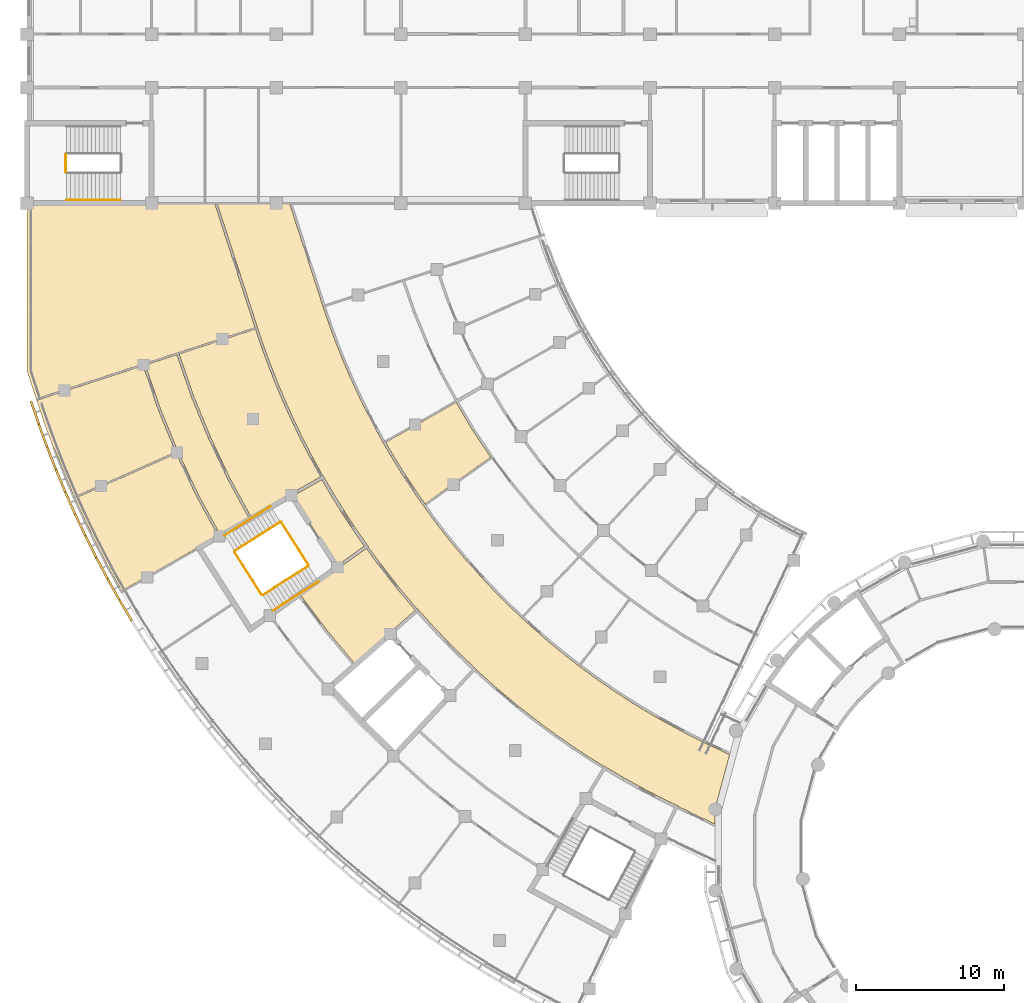
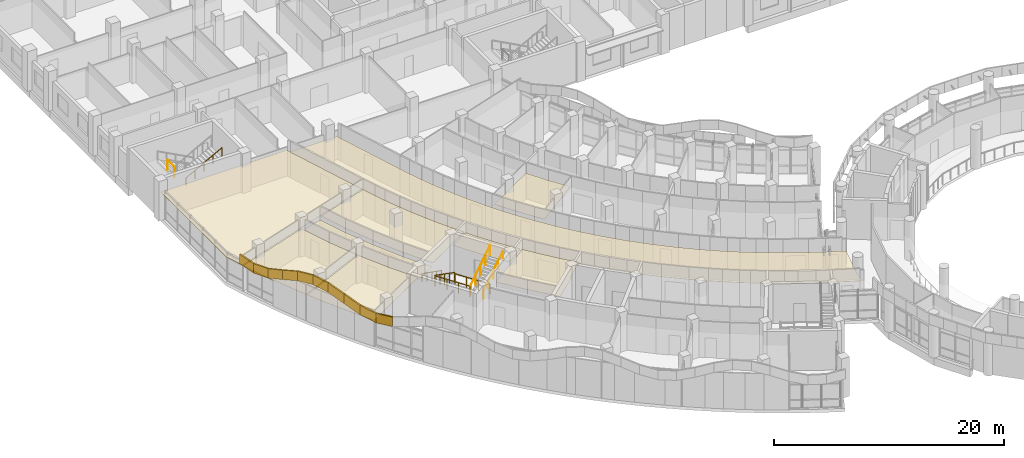
# One storey, part 98 of 109: 19 coverings, 8 railings.
"""IFC4 building model written with IfcOpenShell, lengths in metres."""

from ifc_helpers import new_model, si_unit, direction, frame, origin, origin_2d, place, context, subcontext, project, spatial, polyline, circle, outline, extrude, material, layer, layer_set, type_object, element, save


model = new_model("IFC4")

# Units and contexts
model_context = context("Model", 3, precision=1e-05, world=origin(), true_north=direction((0.0, 1.0)))
body_context = subcontext(model_context, "Body", "Model", "MODEL_VIEW")
ifc_project = project(units=[si_unit("LENGTHUNIT", "METRE"), si_unit("AREAUNIT", "SQUARE_METRE"), si_unit("VOLUMEUNIT", "CUBIC_METRE"), si_unit("PLANEANGLEUNIT", "RADIAN"), si_unit("MASSUNIT", "GRAM", prefix="KILO")], contexts=[model_context])

# Site, building, storey
site_placement = place(None, origin())
site = spatial("IfcSite", under=ifc_project, at=site_placement, CompositionType="ELEMENT")
building_placement = place(site_placement, origin())
building = spatial("IfcBuilding", under=site, at=building_placement, Name="Bougainvillea Quay General Hospital", CompositionType="ELEMENT")
storey_placement = place(building_placement, frame((0.0, 0.0, 12.60009765625)))
storey = spatial("IfcBuildingStorey", under=building, at=storey_placement, Name="L02", CompositionType="ELEMENT", Elevation=12.60009765625)

# Coverings
ifc_material_1 = material(Name="Powder-coated aluminium fascia, blue", Category="aluminium")
ifc_layer_1 = layer(ifc_material_1, 0.14990234375)
ifc_layer_set_1 = layer_set([ifc_layer_1], Name="Powder-coated aluminium fascia, blue")
covering_type_1 = type_object("IfcCoveringType", Name="Aluminium wave fascia ribbon blue 150x1000", PredefinedType="CLADDING", material=ifc_layer_set_1)
covering_1_placement = place(storey_placement, frame((42.341796875, 104.27294921875, 3.149658203125), z_axis=(0.04838377068, -0.143384524214, 0.988483631099), x_axis=(0.316322380761, -0.936504160336, -0.151327819986)))
element("IfcCovering", 1, at=covering_1_placement, inside=storey, type_object=covering_type_1, Name="Fascia ribbon blue a01 1", PredefinedType="CLADDING", context=body_context, shape_type="SweptSolid", body=[
    extrude(outline(polyline([(0.0, 0.0), (1.64549998833338, -3.5805776746333784e-17), (1.6471588485693727, -0.15001519226236398), (-0.00013301029717756319, -0.14993091026207037), (0.0, 0.0)])), origin(), (-0.151327819986, 4.4131529e-05, 0.988483631099), 1.0),
])
covering_2_placement = place(storey_placement, frame((42.8623046875, 102.73193359375, 2.900634765625), z_axis=(-0.043212519725, 0.118834429243, 0.991973314442), x_axis=(0.339202794366, -0.932176228835, 0.126447390997)))
element("IfcCovering", 2, at=covering_2_placement, inside=storey, type_object=covering_type_1, Name="Fascia ribbon blue a01 2", PredefinedType="CLADDING", context=body_context, shape_type="SweptSolid", body=[
    extrude(outline(polyline([(0.0, 0.0), (1.643183683834102, -1.3847633434892204e-16), (1.644982287908264, -0.15003444025597384), (-0.0018633529467140795, -0.15001279168002143), (0.0, 0.0)])), origin(), (0.126447390997, -2.7286791e-05, 0.991973314442), 1.0),
])
covering_3_placement = place(storey_placement, frame((43.419677734375, 101.2001953125, 3.10888671875), z_axis=(-0.114907429563, 0.296458869488, 0.948107811028), x_axis=(0.344761739617, -0.883203421715, 0.31794820139)))
element("IfcCovering", 3, at=covering_3_placement, inside=storey, type_object=covering_type_1, Name="Fascia ribbon blue a01 3", PredefinedType="CLADDING", context=body_context, shape_type="SweptSolid", body=[
    extrude(outline(polyline([(0.0, 0.0), (1.7193585961351872, 1.4062102177136993e-16), (1.7212083129361546, -0.15005248526706494), (-0.0017623911549234732, -0.15003546161427647), (0.0, 0.0)])), origin(), (0.31794820139, -0.000721040599, 0.948107811028), 1.0),
])
covering_4_placement = place(storey_placement, frame((44.012451171875, 99.681640625, 3.65625), z_axis=(-0.127351081877, 0.305588748266, 0.943608615305), x_axis=(0.363347828833, -0.870847628167, 0.331063081297)))
element("IfcCovering", 4, at=covering_4_placement, inside=storey, type_object=covering_type_1, Name="Fascia ribbon blue a01 4", PredefinedType="CLADDING", context=body_context, shape_type="SweptSolid", body=[
    extrude(outline(polyline([(0.0, 0.0), (1.7274609592513808, -5.2827750854356204e-17), (1.7292474923563912, -0.1501473131303176), (-0.0019058831054685117, -0.15005173224176283), (0.0, 0.0)])), origin(), (0.331063081297, -0.000131620601, 0.943608615305), 1.0),
])
covering_5_placement = place(storey_placement, frame((44.64013671875, 98.17724609375, 4.228515625), z_axis=(-0.065406630562, 0.149174932569, 0.98664523116), x_axis=(0.400892984301, -0.901528883754, 0.1628818188)))
element("IfcCovering", 5, at=covering_5_placement, inside=storey, type_object=covering_type_1, Name="Fascia ribbon blue a01 5", PredefinedType="CLADDING", context=body_context, shape_type="SweptSolid", body=[
    extrude(outline(polyline([(0.0, 0.0), (1.6521841187766257, 1.1519648082658485e-17), (1.6539953669793468, -0.14987309196205556), (-0.0018544675773836479, -0.1501449407482986), (0.0, 0.0)])), origin(), (0.1628818188, -0.00083721726, 0.98664523116), 1.0),
])
covering_6_placement = place(storey_placement, frame((45.302490234375, 96.687744140625, 4.497802734375), z_axis=(0.048295154395, -0.104001952781, 0.993403831219), x_axis=(0.424635824034, -0.898073612507, -0.114665615881)))
element("IfcCovering", 6, at=covering_6_placement, inside=storey, type_object=covering_type_1, Name="Fascia ribbon blue a01 6", PredefinedType="CLADDING", context=body_context, shape_type="SweptSolid", body=[
    extrude(outline(polyline([(0.0, 0.0), (1.640891151545481, -5.380353280959316e-17), (1.642672765928729, -0.1499056522364244), (-0.0017187365744371075, -0.14987338087797103), (0.0, 0.0)])), origin(), (-0.114665615881, 0.000790351146, 0.993403831219), 1.0),
])
covering_7_placement = place(storey_placement, frame((45.999267578125, 95.214111328125, 4.309326171875), z_axis=(0.140454665342, -0.279889696091, 0.949702187534), x_axis=(0.425857245839, -0.848869749946, -0.313154520633)))
element("IfcCovering", 7, at=covering_7_placement, inside=storey, type_object=covering_type_1, Name="Fascia ribbon blue a01 7", PredefinedType="CLADDING", context=body_context, shape_type="SweptSolid", body=[
    extrude(outline(polyline([(0.0, 0.0), (1.716464237342309, 3.107594476886577e-17), (1.7182927339970995, -0.15001995244228752), (-0.0017952993185654017, -0.14990608313345288), (0.0, 0.0)])), origin(), (-0.313154520633, -3.4661532e-05, 0.949702187534), 1.0),
])
covering_8_placement = place(storey_placement, frame((46.730224609375, 93.757080078125, 3.771240234375), z_axis=(0.156333463493, -0.295605267796, 0.942431628206), x_axis=(0.441840548188, -0.832438902816, -0.334398569158)))
element("IfcCovering", 8, at=covering_8_placement, inside=storey, type_object=covering_type_1, Name="Fascia ribbon blue a01 8", PredefinedType="CLADDING", context=body_context, shape_type="SweptSolid", body=[
    extrude(outline(polyline([(0.0, 0.0), (1.729502767595576, 5.46979996018937e-17), (1.731558582186584, -0.1499993484314838), (-0.0017495033825558717, -0.15002091505787368), (0.0, 0.0)])), origin(), (-0.334398569158, 0.000472336747, 0.942431628206), 1.0),
])
covering_9_placement = place(storey_placement, frame((47.494384765625, 92.3173828125, 3.1923828125), z_axis=(0.085188430339, -0.151556160952, 0.984770867468), x_axis=(0.481849366327, -0.858833434331, -0.17385718347)))
element("IfcCovering", 9, at=covering_9_placement, inside=storey, type_object=covering_type_1, Name="Fascia ribbon blue a01 9", PredefinedType="CLADDING", context=body_context, shape_type="SweptSolid", body=[
    extrude(outline(polyline([(0.0, 0.0), (1.6553141082069058, -4.480465477796347e-17), (1.6571431752569536, -0.14994643813684855), (-0.0015954107681190423, -0.1500033550581651), (0.0, 0.0)])), origin(), (-0.17385718347, -0.000135432076, 0.984770867468), 1.0),
])
covering_10_placement = place(storey_placement, frame((48.2919921875, 90.895751953125, 2.904541015625), z_axis=(-0.052985730535, 0.087877310005, 0.994721112044), x_axis=(0.506666220484, -0.856014091065, 0.102611972585)))
element("IfcCovering", 10, at=covering_10_placement, inside=storey, type_object=covering_type_1, Name="Fascia ribbon blue a01 10", PredefinedType="CLADDING", context=body_context, shape_type="SweptSolid", body=[
    extrude(outline(polyline([(0.0, 0.0), (1.638800886777208, -2.0383000842727483e-17), (1.6405266507654117, -0.1499699218095876), (-0.001673026199481618, -0.1499482609837066), (0.0, 0.0)])), origin(), (0.102611972585, 0.000832067437, 0.994721112044), 1.0),
])

# Railings
ifc_material_2 = material(Name="Stainless steel 304 balustrade", Category="steel")
railing_type_1 = type_object("IfcRailingType", Name="Stair guard 1100", PredefinedType="GUARDRAIL", material=ifc_material_2)
railing_1_placement = place(storey_placement, frame((44.610107421875, 120.89990234375, 2.099853515625)))
element("IfcRailing", 11, at=railing_1_placement, inside=storey, type_object=railing_type_1, Name="L02 ST-B1 stair guard 2", PredefinedType="GUARDRAIL", context=body_context, shape_type="SweptSolid", body=[
    extrude(circle(Radius=0.02392578125, at=origin_2d()), frame((0.0, 0.0, 1.076171875), z_axis=(0.0, -1.0, 0.0), x_axis=(1.0, 0.0, 0.0)), (0.0, 0.0, 1.0), 1.199951171875),
    extrude(circle(Radius=0.02099609375, at=origin_2d()), origin(), (0.0, 0.0, 1.0), 1.052001953125),
    extrude(circle(Radius=0.02099609375, at=origin_2d()), frame((0.0, -1.199951171875, 0.0)), (0.0, 0.0, 1.0), 1.052001953125),
])
railing_2_placement = place(storey_placement, frame((59.07275390625, 96.11279296875, 0.14990234375)))
element("IfcRailing", 12, at=railing_2_placement, inside=storey, type_object=railing_type_1, Name="L02 ST-W2 stair guard 1", PredefinedType="GUARDRAIL", context=body_context, shape_type="SweptSolid", body=[
    extrude(circle(Radius=0.02392578125, at=origin_2d()), frame((0.0, 0.0, 1.076171875), z_axis=(-0.743100611807, -0.474156011353, 0.472204995346), x_axis=(0.537903635664, -0.843006333748, 0.0)), (0.0, 0.0, 1.0), 4.12939453125),
    extrude(circle(Radius=0.02099609375, at=origin_2d()), origin(), (0.0, 0.0, 1.0), 1.052001953125),
    extrude(circle(Radius=0.02099609375, at=origin_2d()), frame((-0.76708984375, -0.489501953125, 0.487548828125)), (0.0, 0.0, 1.0), 1.052001953125),
    extrude(circle(Radius=0.02099609375, at=origin_2d()), frame((-1.5341796875, -0.97900390625, 0.97509765625)), (0.0, 0.0, 1.0), 1.052001953125),
    extrude(circle(Radius=0.02099609375, at=origin_2d()), frame((-2.301513671875, -1.468505859375, 1.46240234375)), (0.0, 0.0, 1.0), 1.052001953125),
    extrude(circle(Radius=0.02099609375, at=origin_2d()), frame((-3.068603515625, -1.9580078125, 1.949951171875)), (0.0, 0.0, 1.0), 1.052001953125),
])
railing_3_placement = place(storey_placement, frame((55.989013671875, 94.085693359375, 2.099853515625)))
element("IfcRailing", 13, at=railing_3_placement, inside=storey, type_object=railing_type_1, Name="L02 ST-W2 stair guard 2", PredefinedType="GUARDRAIL", context=body_context, shape_type="SweptSolid", body=[
    extrude(circle(Radius=0.02392578125, at=origin_2d()), frame((0.0, 0.0, 1.076171875), z_axis=(0.537909247209, -0.84300275312, 0.0), x_axis=(0.84300275312, 0.537909247209, 0.0)), (0.0, 0.0, 1.0), 3.421630859375),
    extrude(circle(Radius=0.02099609375, at=origin_2d()), origin(), (0.0, 0.0, 1.0), 1.052001953125),
    extrude(circle(Radius=0.02099609375, at=origin_2d()), frame((0.613525390625, -0.96142578125, 0.0)), (0.0, 0.0, 1.0), 1.052001953125),
    extrude(circle(Radius=0.02099609375, at=origin_2d()), frame((1.22705078125, -1.923095703125, 0.0)), (0.0, 0.0, 1.0), 1.052001953125),
    extrude(circle(Radius=0.02099609375, at=origin_2d()), frame((1.840576171875, -2.884521484375, 0.0)), (0.0, 0.0, 1.0), 1.052001953125),
])
railing_4_placement = place(storey_placement, frame((57.898681640625, 91.185791015625, 2.25)))
element("IfcRailing", 14, at=railing_4_placement, inside=storey, type_object=railing_type_1, Name="L02 ST-W2 stair guard 3", PredefinedType="GUARDRAIL", context=body_context, shape_type="SweptSolid", body=[
    extrude(circle(Radius=0.02392578125, at=origin_2d()), frame((0.0, 0.0, 1.076171875), z_axis=(0.743100611807, 0.474156011353, 0.472204995346), x_axis=(-0.537903635664, 0.843006333748, 0.0)), (0.0, 0.0, 1.0), 4.12939453125),
    extrude(circle(Radius=0.02099609375, at=origin_2d()), origin(), (0.0, 0.0, 1.0), 1.052001953125),
    extrude(circle(Radius=0.02099609375, at=origin_2d()), frame((0.76708984375, 0.489501953125, 0.487548828125)), (0.0, 0.0, 1.0), 1.052001953125),
    extrude(circle(Radius=0.02099609375, at=origin_2d()), frame((1.5341796875, 0.97900390625, 0.97509765625)), (0.0, 0.0, 1.0), 1.052001953125),
    extrude(circle(Radius=0.02099609375, at=origin_2d()), frame((2.301513671875, 1.468505859375, 1.46240234375)), (0.0, 0.0, 1.0), 1.052001953125),
    extrude(circle(Radius=0.02099609375, at=origin_2d()), frame((3.068603515625, 1.9580078125, 1.949951171875)), (0.0, 0.0, 1.0), 1.052001953125),
])
railing_5_placement = place(storey_placement, frame((59.141845703125, 96.09765625, 0.0)))
element("IfcRailing", 15, at=railing_5_placement, inside=storey, type_object=railing_type_1, Name="L02 ST-W2 stair guard 4", PredefinedType="GUARDRAIL", context=body_context, shape_type="SweptSolid", body=[
    extrude(circle(Radius=0.02392578125, at=origin_2d()), frame((0.0, 0.0, 1.076171875), z_axis=(0.537876894364, -0.843023396181, 0.0), x_axis=(0.843023396181, 0.537876894364, 0.0)), (0.0, 0.0, 1.0), 3.421875),
    extrude(circle(Radius=0.02099609375, at=origin_2d()), origin(), (0.0, 0.0, 1.0), 1.052001953125),
    extrude(circle(Radius=0.02099609375, at=origin_2d()), frame((0.613525390625, -0.961669921875, 0.0)), (0.0, 0.0, 1.0), 1.052001953125),
    extrude(circle(Radius=0.02099609375, at=origin_2d()), frame((1.22705078125, -1.923095703125, 0.0)), (0.0, 0.0, 1.0), 1.052001953125),
    extrude(circle(Radius=0.02099609375, at=origin_2d()), frame((1.840576171875, -2.884765625, 0.0)), (0.0, 0.0, 1.0), 1.052001953125),
])
ifc_material_3 = material(Name="Stainless steel 304 handrail", Category="steel")
railing_type_2 = type_object("IfcRailingType", Name="Stair handrail 900", PredefinedType="HANDRAIL", material=ifc_material_3)
railing_6_placement = place(storey_placement, frame((44.659912109375, 117.824951171875, 2.25)))
element("IfcRailing", 16, at=railing_6_placement, inside=storey, type_object=railing_type_2, Name="L02 ST-B1 stair handrail 2", PredefinedType="HANDRAIL", context=body_context, shape_type="SweptSolid", body=[
    extrude(circle(Radius=0.02392578125, at=origin_2d()), frame((0.0, 0.0, 0.8759765625), z_axis=(0.881492274372, 0.0, 0.472198443689), x_axis=(0.0, 1.0, 0.0)), (0.0, 0.0, 1.0), 4.12939453125),
    extrude(circle(Radius=0.02099609375, at=origin_2d()), origin(), (0.0, 0.0, 1.0), 0.851806640625),
    extrude(circle(Radius=0.02099609375, at=origin_2d()), frame((0.91015625, 0.0, 0.487548828125)), (0.0, 0.0, 1.0), 0.851806640625),
    extrude(circle(Radius=0.02099609375, at=origin_2d()), frame((1.820068359375, 0.0, 0.97509765625)), (0.0, 0.0, 1.0), 0.851806640625),
    extrude(circle(Radius=0.02099609375, at=origin_2d()), frame((2.72998046875, 0.0, 1.46240234375)), (0.0, 0.0, 1.0), 0.851806640625),
    extrude(circle(Radius=0.02099609375, at=origin_2d()), frame((3.64013671875, 0.0, 1.949951171875)), (0.0, 0.0, 1.0), 0.851806640625),
])
railing_7_placement = place(storey_placement, frame((58.400390625, 97.16650390625, 0.14990234375)))
element("IfcRailing", 17, at=railing_7_placement, inside=storey, type_object=railing_type_2, Name="L02 ST-W2 stair handrail 1", PredefinedType="HANDRAIL", context=body_context, shape_type="SweptSolid", body=[
    extrude(circle(Radius=0.02392578125, at=origin_2d()), frame((0.0, 0.0, 0.8759765625), z_axis=(-0.743100611807, -0.474156011353, 0.472204995346), x_axis=(0.537903635664, -0.843006333748, 0.0)), (0.0, 0.0, 1.0), 4.12939453125),
    extrude(circle(Radius=0.02099609375, at=origin_2d()), origin(), (0.0, 0.0, 1.0), 0.851806640625),
    extrude(circle(Radius=0.02099609375, at=origin_2d()), frame((-0.76708984375, -0.489501953125, 0.487548828125)), (0.0, 0.0, 1.0), 0.851806640625),
    extrude(circle(Radius=0.02099609375, at=origin_2d()), frame((-1.5341796875, -0.97900390625, 0.97509765625)), (0.0, 0.0, 1.0), 0.851806640625),
    extrude(circle(Radius=0.02099609375, at=origin_2d()), frame((-2.301513671875, -1.468505859375, 1.46240234375)), (0.0, 0.0, 1.0), 0.851806640625),
    extrude(circle(Radius=0.02099609375, at=origin_2d()), frame((-3.068603515625, -1.9580078125, 1.949951171875)), (0.0, 0.0, 1.0), 0.851806640625),
])
railing_8_placement = place(storey_placement, frame((58.571044921875, 90.132080078125, 2.25)))
element("IfcRailing", 18, at=railing_8_placement, inside=storey, type_object=railing_type_2, Name="L02 ST-W2 stair handrail 2", PredefinedType="HANDRAIL", context=body_context, shape_type="SweptSolid", body=[
    extrude(circle(Radius=0.02392578125, at=origin_2d()), frame((0.0, 0.0, 0.8759765625), z_axis=(0.743100611807, 0.474156011353, 0.472204995346), x_axis=(-0.537903635664, 0.843006333748, 0.0)), (0.0, 0.0, 1.0), 4.12939453125),
    extrude(circle(Radius=0.02099609375, at=origin_2d()), origin(), (0.0, 0.0, 1.0), 0.851806640625),
    extrude(circle(Radius=0.02099609375, at=origin_2d()), frame((0.76708984375, 0.489501953125, 0.487548828125)), (0.0, 0.0, 1.0), 0.851806640625),
    extrude(circle(Radius=0.02099609375, at=origin_2d()), frame((1.5341796875, 0.97900390625, 0.97509765625)), (0.0, 0.0, 1.0), 0.851806640625),
    extrude(circle(Radius=0.02099609375, at=origin_2d()), frame((2.301513671875, 1.468505859375, 1.46240234375)), (0.0, 0.0, 1.0), 0.851806640625),
    extrude(circle(Radius=0.02099609375, at=origin_2d()), frame((3.068603515625, 1.9580078125, 1.949951171875)), (0.0, 0.0, 1.0), 0.851806640625),
])

# Coverings
ifc_material_4 = material(Name="Mineral fibre ceiling tile")
ifc_layer_2 = layer(ifc_material_4, 0.030029296875)
ifc_layer_set_2 = layer_set([ifc_layer_2], Name="Mineral fibre ceiling tile")
covering_type_2 = type_object("IfcCoveringType", Name="Suspended ceiling mineral fibre tile", PredefinedType="CEILING", material=ifc_layer_set_2)
covering_11_placement = place(storey_placement, frame((0.0, 0.0, 2.39990234375)))
element("IfcCovering", 19, at=covering_11_placement, inside=storey, type_object=covering_type_2, Name="Ceiling Outpatient Spine Corridor", PredefinedType="CEILING", context=body_context, shape_type="SweptSolid", body=[
    extrude(outline(polyline([(54.808837890625, 117.60009765625), (57.5341796875, 109.212646484375), (57.977783203125, 107.904052734375), (58.422119140625, 106.692626953125), (58.96044921875, 105.33056640625), (59.500732421875, 104.063232421875), (60.07275390625, 102.809814453125), (60.563232421875, 101.798583984375), (61.17333984375, 100.610107421875), (61.9296875, 99.231689453125), (61.94873046875, 99.242919921875), (61.950439453125, 99.242431640625), (61.99951171875, 99.156005859375), (62.695556640625, 97.967529296875), (63.42138671875, 96.7978515625), (64.176025390625, 95.64599609375), (64.9609375, 94.513427734375), (65.0185546875, 94.432373046875), (65.01806640625, 94.4306640625), (64.999755859375, 94.41796875), (65.7529296875, 93.38720703125), (67.063232421875, 91.71142578125), (68.292236328125, 90.256591796875), (68.308349609375, 90.271240234375), (68.310302734375, 90.271240234375), (68.375732421875, 90.196533203125), (69.297607421875, 89.1728515625), (70.24365234375, 88.172607421875), (71.216064453125, 87.196533203125), (72.212646484375, 86.245849609375), (72.285400390625, 86.177978515625), (72.285400390625, 86.17626953125), (72.270263671875, 86.160400390625), (73.55908203125, 85.000732421875), (75.324951171875, 83.530517578125), (76.678955078125, 82.485107421875), (77.75830078125, 81.6982421875), (78.85791015625, 80.938232421875), (79.799560546875, 80.318115234375), (80.88134765625, 79.640625), (80.892822265625, 79.659912109375), (80.89453125, 79.660400390625), (80.9794921875, 79.60888671875), (82.165771484375, 78.90771484375), (83.36865234375, 78.238037109375), (84.58837890625, 77.59814453125), (85.82373046875, 76.989013671875), (85.913330078125, 76.9462890625), (85.913818359375, 76.944580078125), (85.9033203125, 76.92333984375), (88.3798828125, 75.7421875), (88.3798828125, 76.740966796875), (89.386962890625, 80.4970703125), (89.354736328125, 80.42919921875), (87.880126953125, 81.132568359375), (87.87939453125, 81.13134765625), (87.74609375, 81.196533203125), (87.74658203125, 81.19775390625), (86.400390625, 81.87158203125), (86.399169921875, 81.869384765625), (86.334228515625, 81.904541015625), (86.268310546875, 81.9375), (86.26953125, 81.939697265625), (84.582763671875, 82.8564453125), (84.58154296875, 82.854248046875), (84.51806640625, 82.8916015625), (84.453369140625, 82.927001953125), (84.45458984375, 82.92919921875), (83.511962890625, 83.484375), (83.510986328125, 83.482666015625), (83.38427734375, 83.559326171875), (83.38525390625, 83.56103515625), (82.458251953125, 84.1396484375), (82.457275390625, 84.13818359375), (82.332763671875, 84.218017578125), (82.333740234375, 84.2197265625), (81.4208984375, 84.821044921875), (81.419677734375, 84.819580078125), (81.297119140625, 84.902587890625), (81.298095703125, 84.904296875), (80.401123046875, 85.52783203125), (80.39990234375, 85.526123046875), (80.34033203125, 85.570068359375), (80.279541015625, 85.6123046875), (80.28076171875, 85.614013671875), (79.280517578125, 86.35107421875), (79.279541015625, 86.349853515625), (79.1611328125, 86.439208984375), (79.162109375, 86.4404296875), (78.41455078125, 87.017333984375), (78.4130859375, 87.015380859375), (78.356201171875, 87.062255859375), (78.2978515625, 87.107421875), (78.29931640625, 87.109375), (77.0029296875, 88.17822265625), (77.0009765625, 88.176025390625), (76.9462890625, 88.22509765625), (76.889404296875, 88.271728515625), (76.89111328125, 88.27392578125), (75.42041015625, 89.585693359375), (75.4189453125, 89.583984375), (75.365234375, 89.634765625), (75.31005859375, 89.683837890625), (75.3115234375, 89.685546875), (74.6796875, 90.2841796875), (74.67822265625, 90.282958984375), (74.572021484375, 90.38623046875), (74.5732421875, 90.387451171875), (73.798095703125, 91.158203125), (73.796630859375, 91.156982421875), (73.69287109375, 91.2626953125), (73.6943359375, 91.263916015625), (72.93798828125, 92.0546875), (72.936279296875, 92.052978515625), (72.886962890625, 92.10791015625), (72.8359375, 92.161376953125), (72.837646484375, 92.162841796875), (71.7099609375, 93.416748046875), (71.7080078125, 93.415283203125), (71.660400390625, 93.4716796875), (71.611083984375, 93.526611328125), (71.61279296875, 93.528076171875), (70.906982421875, 94.36376953125), (70.905517578125, 94.362548828125), (70.811279296875, 94.476806640625), (70.812744140625, 94.47802734375), (70.12841796875, 95.330078125), (70.126953125, 95.328857421875), (70.03564453125, 95.445556640625), (70.037109375, 95.44677734375), (69.37353515625, 96.316650390625), (69.37158203125, 96.3154296875), (69.32861328125, 96.37548828125), (69.283935546875, 96.43408203125), (69.28564453125, 96.435546875), (68.27197265625, 97.856689453125), (68.269775390625, 97.85498046875), (68.229248046875, 97.91650390625), (68.186279296875, 97.9765625), (68.1884765625, 97.97802734375), (67.262451171875, 99.382080078125), (67.260498046875, 99.380859375), (67.2216796875, 99.443603515625), (67.18115234375, 99.50537109375), (67.18310546875, 99.506591796875), (66.609375, 100.4384765625), (66.60791015625, 100.4375), (66.53173828125, 100.564453125), (66.533447265625, 100.5654296875), (66.05908203125, 101.379638671875), (66.057861328125, 101.37890625), (65.984375, 101.508056640625), (65.98583984375, 101.5087890625), (65.662109375, 102.091552734375), (65.660400390625, 102.0908203125), (65.590087890625, 102.22119140625), (65.591552734375, 102.221923828125), (64.8154296875, 103.69970703125), (64.813232421875, 103.69873046875), (64.781005859375, 103.76513671875), (64.746826171875, 103.83056640625), (64.748779296875, 103.83154296875), (64.271484375, 104.8154296875), (64.269775390625, 104.814697265625), (64.206787109375, 104.94873046875), (64.20849609375, 104.949462890625), (63.756103515625, 105.9443359375), (63.75439453125, 105.943603515625), (63.694580078125, 106.0791015625), (63.6962890625, 106.080078125), (63.2685546875, 107.08544921875), (63.266845703125, 107.084716796875), (63.210693359375, 107.2216796875), (63.21240234375, 107.222412109375), (62.81005859375, 108.238525390625), (62.808349609375, 108.23779296875), (62.755615234375, 108.376220703125), (62.75732421875, 108.376708984375), (62.380859375, 109.403564453125), (62.379150390625, 109.40283203125), (62.329833984375, 109.54248046875), (62.33154296875, 109.543212890625), (61.98193359375, 110.57421875), (61.978515625, 110.582763671875), (61.97412109375, 110.58154296875), (61.957275390625, 110.647216796875), (61.933837890625, 110.716064453125), (61.93505859375, 110.716796875), (59.70556640625, 117.576904296875), (59.777099609375, 117.60009765625), (54.808837890625, 117.60009765625)])), origin(), (0.0, 0.0, 1.0), 0.030029296875),
])
covering_12_placement = place(storey_placement, frame((0.0, 0.0, 2.699951171875)))
element("IfcCovering", 20, at=covering_12_placement, inside=storey, type_object=covering_type_2, Name="Ceiling Smoke-proof Vestibule ST-W2", PredefinedType="CEILING", context=body_context, shape_type="SweptSolid", body=[
    extrude(outline(polyline([(63.953857421875, 95.615234375), (63.9560546875, 95.61669921875), (63.306884765625, 96.607666015625), (63.3046875, 96.606201171875), (63.252685546875, 96.690185546875), (63.198486328125, 96.77294921875), (63.20068359375, 96.774169921875), (62.576416015625, 97.780517578125), (62.57421875, 97.779052734375), (62.5244140625, 97.8642578125), (62.472412109375, 97.9482421875), (62.474365234375, 97.94970703125), (61.876708984375, 98.97021484375), (59.96337890625, 97.883056640625), (60.6396484375, 96.728515625), (61.397216796875, 95.5068359375), (62.185791015625, 94.304931640625), (62.948486328125, 93.205078125), (64.740478515625, 94.480224609375), (64.06640625, 95.452880859375), (64.064208984375, 95.45166015625), (64.010009765625, 95.5341796875), (63.953857421875, 95.615234375)])), origin(), (0.0, 0.0, 1.0), 0.030029296875),
])
covering_13_placement = place(storey_placement, frame((0.0, 0.0, 2.699951171875)))
element("IfcCovering", 21, at=covering_13_placement, inside=storey, type_object=covering_type_2, Name="Ceiling Ambulatory Dialysis Chairs Waiting Hall 02W101", PredefinedType="CEILING", context=body_context, shape_type="SweptSolid", body=[
    extrude(outline(polyline([(66.4970703125, 88.548095703125), (66.43115234375, 88.623291015625), (68.18017578125, 90.156982421875), (66.994384765625, 91.560546875), (66.9921875, 91.558837890625), (66.94677734375, 91.61669921875), (66.8994140625, 91.6728515625), (66.9013671875, 91.6748046875), (65.6787109375, 93.238525390625), (65.6767578125, 93.2373046875), (65.633056640625, 93.296875), (65.587646484375, 93.35498046875), (65.589599609375, 93.3564453125), (64.876953125, 94.331787109375), (63.0625, 93.040771484375), (63.063232421875, 93.039794921875), (62.900390625, 92.925537109375), (62.89892578125, 92.92578125), (62.87109375, 92.9658203125), (60.408203125, 91.21240234375), (62.201904296875, 88.821533203125), (64.1474609375, 86.487548828125), (66.4970703125, 88.548095703125)])), origin(), (0.0, 0.0, 1.0), 0.030029296875),
])
covering_14_placement = place(storey_placement, frame((0.0, 0.0, 2.699951171875)))
element("IfcCovering", 22, at=covering_14_placement, inside=storey, type_object=covering_type_2, Name="Ceiling Pre-operative Assessment Clinic", PredefinedType="CEILING", context=body_context, shape_type="SweptSolid", body=[
    extrude(outline(polyline([(42.610595703125, 104.41650390625), (57.375732421875, 109.213134765625), (54.65869140625, 117.576904296875), (54.72998046875, 117.60009765625), (42.0, 117.60009765625), (42.0, 106.2958984375), (42.610595703125, 104.41650390625)])), origin(), (0.0, 0.0, 1.0), 0.030029296875),
])
covering_15_placement = place(storey_placement, frame((0.0, 0.0, 2.39990234375)))
element("IfcCovering", 23, at=covering_15_placement, inside=storey, type_object=covering_type_2, Name="Ceiling Clinic Corridor 02W2", PredefinedType="CEILING", context=body_context, shape_type="SweptSolid", body=[
    extrude(outline(polyline([(55.572265625, 98.920166015625), (55.541015625, 98.986083984375), (55.506103515625, 99.0498046875), (55.510009765625, 99.052001953125), (54.271728515625, 101.675537109375), (54.26806640625, 101.674072265625), (54.240478515625, 101.74169921875), (54.209228515625, 101.807861328125), (54.21240234375, 101.809326171875), (53.108642578125, 104.4921875), (53.1044921875, 104.49072265625), (53.080810546875, 104.5595703125), (53.05322265625, 104.626708984375), (53.05712890625, 104.62841796875), (52.10791015625, 107.392578125), (49.969482421875, 106.697998046875), (50.980224609375, 103.75537109375), (52.1826171875, 100.833251953125), (53.53076171875, 97.97509765625), (55.023193359375, 95.245849609375), (56.978759765625, 96.35791015625), (55.576171875, 98.922119140625), (55.572265625, 98.920166015625)])), origin(), (0.0, 0.0, 1.0), 0.030029296875),
])
covering_16_placement = place(storey_placement, frame((0.0, 0.0, 2.699951171875)))
element("IfcCovering", 24, at=covering_16_placement, inside=storey, type_object=covering_type_2, Name="Ceiling Pre-operative Assessment Waiting Hall 02W201", PredefinedType="CEILING", context=body_context, shape_type="SweptSolid", body=[
    extrude(outline(polyline([(61.076416015625, 100.474853515625), (61.074462890625, 100.47412109375), (61.040771484375, 100.539794921875), (61.005126953125, 100.604736328125), (61.0068359375, 100.605712890625), (60.462646484375, 101.66552734375), (60.461181640625, 101.664794921875), (60.39501953125, 101.79736328125), (60.396484375, 101.79833984375), (59.969482421875, 102.679443359375), (59.968017578125, 102.6787109375), (59.90478515625, 102.812744140625), (59.90625, 102.8134765625), (59.39404296875, 103.935302734375), (59.392333984375, 103.9345703125), (59.33251953125, 104.070068359375), (59.334228515625, 104.07080078125), (58.8505859375, 105.205322265625), (58.848876953125, 105.20458984375), (58.79248046875, 105.341552734375), (58.79443359375, 105.34228515625), (58.30908203125, 106.5703125), (58.307373046875, 106.56982421875), (58.254638671875, 106.708251953125), (58.25634765625, 106.708740234375), (57.86181640625, 107.784423828125), (57.860107421875, 107.783935546875), (57.810791015625, 107.923583984375), (57.8125, 107.92431640625), (57.4072265625, 109.1181640625), (52.25048828125, 107.43896484375), (53.22119140625, 104.612548828125), (54.377685546875, 101.80224609375), (55.6748046875, 99.053955078125), (57.109130859375, 96.431884765625), (59.7138671875, 97.913818359375), (59.689208984375, 97.955810546875), (59.689697265625, 97.95751953125), (59.86181640625, 98.056884765625), (59.8623046875, 98.0556640625), (61.799560546875, 99.15673828125), (61.076416015625, 100.474853515625)])), origin(), (0.0, 0.0, 1.0), 0.030029296875),
])
covering_17_placement = place(storey_placement, frame((0.0, 0.0, 2.699951171875)))
element("IfcCovering", 25, at=covering_17_placement, inside=storey, type_object=covering_type_2, Name="Ceiling Pre-operative Assessment Consulting Room 02W211", PredefinedType="CEILING", context=body_context, shape_type="SweptSolid", body=[
    extrude(outline(polyline([(48.375244140625, 91.464599609375), (54.892822265625, 95.171875), (53.43212890625, 97.843017578125), (53.42822265625, 97.841064453125), (53.397216796875, 97.906982421875), (53.3623046875, 97.970703125), (53.365966796875, 97.972900390625), (52.07666015625, 100.70654296875), (52.0732421875, 100.705078125), (52.064453125, 100.7265625), (45.2294921875, 97.709716796875), (45.88720703125, 96.26220703125), (46.650634765625, 94.6904296875), (47.4521484375, 93.137451171875), (48.375244140625, 91.464599609375)])), origin(), (0.0, 0.0, 1.0), 0.030029296875),
])
covering_18_placement = place(storey_placement, frame((0.0, 0.0, 2.699951171875)))
element("IfcCovering", 26, at=covering_18_placement, inside=storey, type_object=covering_type_2, Name="Ceiling Pre-operative Assessment Examination Room 02W212", PredefinedType="CEILING", context=body_context, shape_type="SweptSolid", body=[
    extrude(outline(polyline([(43.791015625, 101.069091796875), (43.83740234375, 101.087646484375), (44.773193359375, 98.770263671875), (45.18896484375, 97.801025390625), (52.02392578125, 100.81787109375), (52.01416015625, 100.8388671875), (52.017578125, 100.84033203125), (50.867431640625, 103.635009765625), (50.863525390625, 103.6337890625), (50.83984375, 103.70263671875), (50.81201171875, 103.769775390625), (50.816162109375, 103.771484375), (49.826904296875, 106.651611328125), (42.64404296875, 104.316650390625), (43.18798828125, 102.7099609375), (43.791015625, 101.069091796875)])), origin(), (0.0, 0.0, 1.0), 0.030029296875),
])
covering_19_placement = place(storey_placement, frame((0.0, 0.0, 2.699951171875)))
element("IfcCovering", 27, at=covering_19_placement, inside=storey, type_object=covering_type_2, Name="Ceiling Chemotherapy Consulting Room 02W102", PredefinedType="CEILING", context=body_context, shape_type="SweptSolid", body=[
    extrude(outline(polyline([(68.831298828125, 97.330810546875), (73.2607421875, 100.4833984375), (73.2470703125, 100.501953125), (73.25, 100.504150390625), (72.082275390625, 102.236572265625), (72.07861328125, 102.234375), (72.04150390625, 102.296875), (72.0009765625, 102.357177734375), (72.00439453125, 102.359619140625), (70.95556640625, 104.134765625), (70.9521484375, 104.13427734375), (70.9287109375, 104.177001953125), (66.17724609375, 101.474853515625), (66.699462890625, 100.57861328125), (67.34814453125, 99.5244140625), (68.352783203125, 98.00146484375), (68.831298828125, 97.330810546875)])), origin(), (0.0, 0.0, 1.0), 0.030029296875),
])

save(model, "model.ifc")
